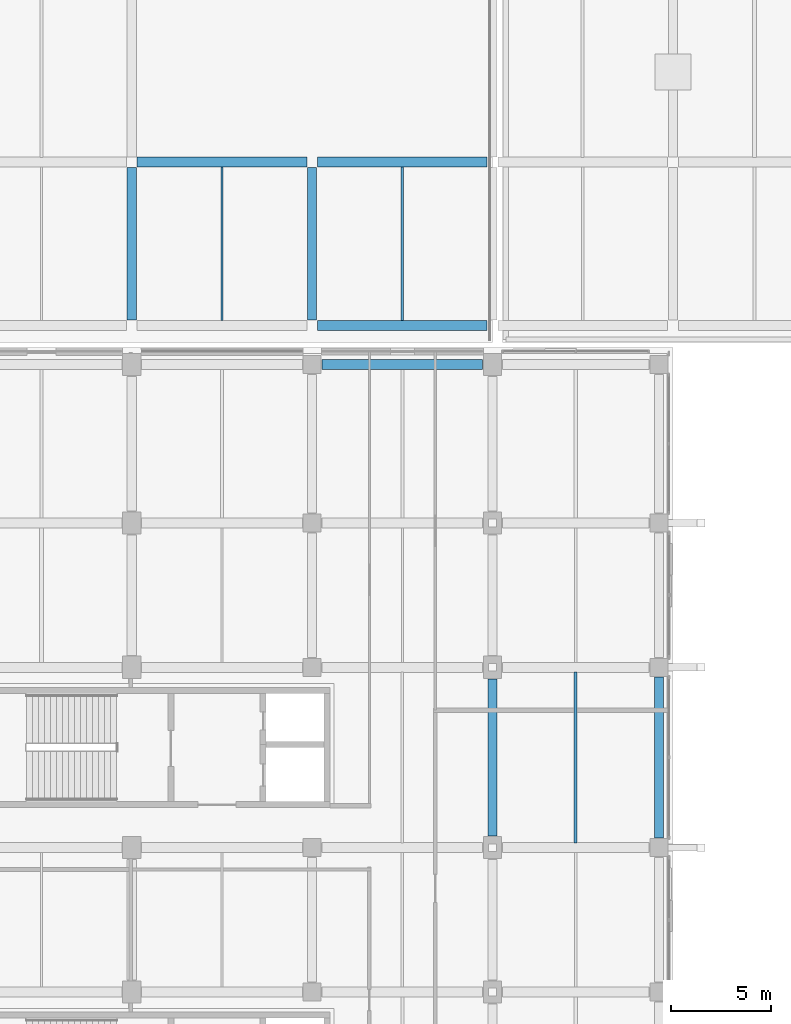
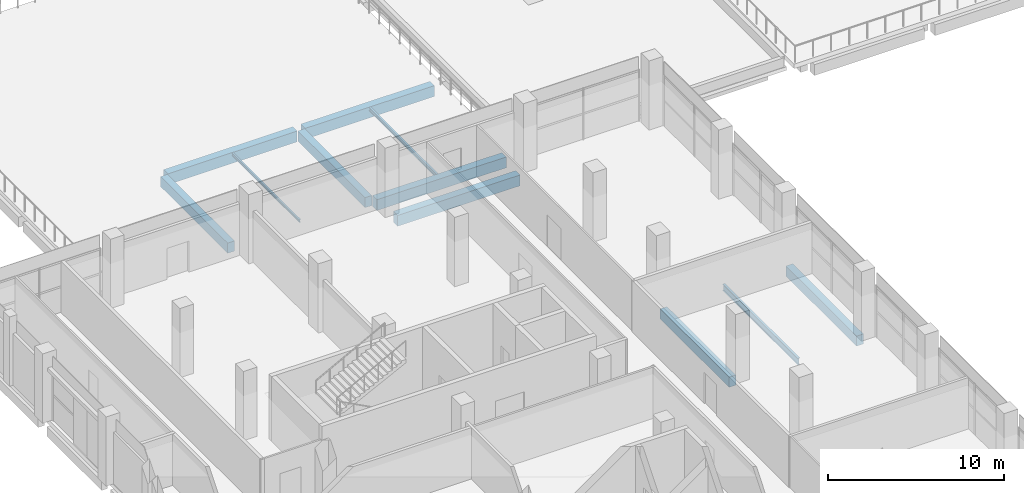
# One storey, part 21 of 82: 11 beams.
"""IFC4 building model written with IfcOpenShell, lengths in metres."""

from ifc_helpers import new_model, si_unit, direction, frame, origin, origin_2d, place, context, subcontext, project, spatial, rectangle, i_section, extrude, material, material_profile, profile_set, type_object, element, save


model = new_model("IFC4")

# Units and contexts
model_context = context("Model", 3, precision=1e-05, world=origin(), true_north=direction((0.0, 1.0)))
body_context = subcontext(model_context, "Body", "Model", "MODEL_VIEW")
ifc_project = project(units=[si_unit("LENGTHUNIT", "METRE"), si_unit("AREAUNIT", "SQUARE_METRE"), si_unit("VOLUMEUNIT", "CUBIC_METRE"), si_unit("PLANEANGLEUNIT", "RADIAN"), si_unit("MASSUNIT", "GRAM", prefix="KILO"), si_unit("THERMODYNAMICTEMPERATUREUNIT", "KELVIN"), si_unit("POWERUNIT", "WATT")], contexts=[model_context])

# Site, building, storey
site_placement = place(None, origin())
site = spatial("IfcSite", under=ifc_project, at=site_placement, CompositionType="ELEMENT")
building_placement = place(site_placement, origin())
building = spatial("IfcBuilding", under=site, at=building_placement, Name="Sindhuravela Promenade Stadium", CompositionType="ELEMENT")
storey_placement = place(building_placement, frame((0.0, 0.0, 14.39990234375)))
storey = spatial("IfcBuildingStorey", under=building, at=storey_placement, Name="L03", CompositionType="ELEMENT", Elevation=14.39990234375)

# Beams
ifc_material_1 = material(Name="Concrete M40", Category="concrete")
ifc_material_profile_1 = material_profile(ifc_material_1, rectangle(XDim=0.449951171875, YDim=0.699951171875, at=origin_2d()), Name="RC 450x700")
ifc_profile_set_1 = profile_set([ifc_material_profile_1], Name="Concrete M40")
beam_type_1 = type_object("IfcBeamType", Name="RC-BM-450x700", PredefinedType="BEAM", material=ifc_profile_set_1)
beam_1_placement = place(storey_placement, frame((36.0, 101.389892578125, -0.64990234375), z_axis=(0.0, 1.0, 0.0), x_axis=(-1.0, 0.0, 0.0)))
element("IfcBeam", 1, at=beam_1_placement, inside=storey, type_object=beam_type_1, Name="Primary beam GB07 WEST L03", PredefinedType="BEAM", context=body_context, shape_type="SweptSolid", body=[
    extrude(rectangle(XDim=0.449951171875, YDim=0.699951171875, at=origin_2d()), origin(), (0.0, 0.0, 1.0), 7.820068359375),
])
beam_2_placement = place(storey_placement, frame((44.300048828125, 101.2900390625, -0.64990234375), z_axis=(0.0, 1.0, 0.0), x_axis=(-1.0, 0.0, 0.0)))
element("IfcBeam", 2, at=beam_2_placement, inside=storey, type_object=beam_type_1, Name="Primary beam GB07 WEST L03", PredefinedType="BEAM", context=body_context, shape_type="SweptSolid", body=[
    extrude(rectangle(XDim=0.449951171875, YDim=0.699951171875, at=origin_2d()), origin(), (0.0, 0.0, 1.0), 8.02001953125),
])
for number, where, z_axis, x_axis, name in (
    (3, (18.0, 127.114990234375, -0.659912109375), (0.0, 1.0, 0.0), (-1.0, 0.0, 0.0), "Primary beam GB07 Pavilion NW L03"),
    (4, (27.0, 127.114990234375, -0.659912109375), (0.0, 1.0, 0.0), (-1.0, 0.0, 0.0), "Primary beam GB07 Pavilion NW L03"),
):
    element("IfcBeam", number, at=place(storey_placement, frame(where, z_axis=z_axis, x_axis=x_axis)), inside=storey, type_object=beam_type_1, Name=name, PredefinedType="BEAM", context=body_context, shape_type="SweptSolid", body=[
        extrude(rectangle(XDim=0.449951171875, YDim=0.699951171875, at=origin_2d()), origin(), (0.0, 0.0, 1.0), 7.6201171875),
    ])
ifc_material_profile_2 = material_profile(ifc_material_1, rectangle(XDim=0.5, YDim=0.75, at=origin_2d()), Name="RC 500x750")
ifc_profile_set_2 = profile_set([ifc_material_profile_2], Name="Concrete M40")
beam_type_2 = type_object("IfcBeamType", Name="RC-BM-500x750", PredefinedType="BEAM", material=ifc_profile_set_2)
beam_3_placement = place(storey_placement, frame((27.489990234375, 124.89990234375, -0.6748046875), z_axis=(1.0, 0.0, 0.0), x_axis=(0.0, 1.0, 0.0)))
element("IfcBeam", 5, at=beam_3_placement, inside=storey, type_object=beam_type_2, Name="Primary girder GB06 WEST L03", PredefinedType="BEAM", context=body_context, shape_type="SweptSolid", body=[
    extrude(rectangle(XDim=0.5, YDim=0.75, at=origin_2d()), origin(), (0.0, 0.0, 1.0), 8.02001953125),
])
for number, where, z_axis, x_axis, name in (
    (6, (27.264892578125, 126.85009765625, -0.684814453125), (1.0, 0.0, 0.0), (0.0, 1.0, 0.0), "Primary girder GB06 Pavilion NW L03"),
    (7, (18.264892578125, 135.0, -0.684814453125), (1.0, 0.0, 0.0), (0.0, 1.0, 0.0), "Primary girder GB06 Pavilion NW L03"),
    (8, (27.264892578125, 135.0, -0.684814453125), (1.0, 0.0, 0.0), (0.0, 1.0, 0.0), "Primary girder GB06 Pavilion NW L03"),
):
    element("IfcBeam", number, at=place(storey_placement, frame(where, z_axis=z_axis, x_axis=x_axis)), inside=storey, type_object=beam_type_2, Name=name, PredefinedType="BEAM", context=body_context, shape_type="SweptSolid", body=[
        extrude(rectangle(XDim=0.5, YDim=0.75, at=origin_2d()), origin(), (0.0, 0.0, 1.0), 8.47021484375),
    ])
ifc_material_2 = material(Name="Steel E350 (IS 2062 E350BR)", Category="steel")
ifc_material_profile_3 = material_profile(ifc_material_2, i_section(OverallWidth=0.10009765625, OverallDepth=0.199951171875, WebThickness=0.005615234375, FlangeThickness=0.0107421875, FilletRadius=0.010986328125, at=origin_2d()), Name="ISMB 200")
ifc_profile_set_3 = profile_set([ifc_material_profile_3], Name="Steel E350 (IS 2062 E350BR)")
beam_type_3 = type_object("IfcBeamType", Name="ST-BM-MB200", PredefinedType="JOIST", material=ifc_profile_set_3)
beam_4_placement = place(storey_placement, frame((22.5, 127.090087890625, -0.409912109375), z_axis=(0.0, 1.0, 0.0), x_axis=(-1.0, 0.0, 0.0)))
element("IfcBeam", 9, at=beam_4_placement, inside=storey, type_object=beam_type_3, Name="Secondary floor joist SB01 Pavilion NW L03", PredefinedType="JOIST", context=body_context, shape_type="SweptSolid", body=[
    extrude(i_section(OverallWidth=0.10009765625, OverallDepth=0.199951171875, WebThickness=0.005615234375, FlangeThickness=0.0107421875, FilletRadius=0.010986328125, at=origin_2d()), origin(), (0.0, 0.0, 1.0), 7.669921875),
])
ifc_material_profile_4 = material_profile(ifc_material_2, i_section(OverallWidth=0.125, OverallDepth=0.25, WebThickness=0.0068359375, FlangeThickness=0.012451171875, FilletRadius=0.012939453125, at=origin_2d()), Name="ISMB 250")
ifc_profile_set_4 = profile_set([ifc_material_profile_4], Name="Steel E350 (IS 2062 E350BR)")
beam_type_4 = type_object("IfcBeamType", Name="ST-BM-MB250", PredefinedType="JOIST", material=ifc_profile_set_4)
beam_5_placement = place(storey_placement, frame((31.5, 127.090087890625, -0.434814453125), z_axis=(0.0, 1.0, 0.0), x_axis=(-1.0, 0.0, 0.0)))
element("IfcBeam", 10, at=beam_5_placement, inside=storey, type_object=beam_type_4, Name="Secondary floor joist SB02 Pavilion NW L03", PredefinedType="JOIST", context=body_context, shape_type="SweptSolid", body=[
    extrude(i_section(OverallWidth=0.125, OverallDepth=0.25, WebThickness=0.0068359375, FlangeThickness=0.012451171875, FilletRadius=0.012939453125, at=origin_2d()), origin(), (0.0, 0.0, 1.0), 7.669921875),
])
ifc_material_profile_5 = material_profile(ifc_material_2, i_section(OverallWidth=0.14990234375, OverallDepth=0.449951171875, WebThickness=0.009521484375, FlangeThickness=0.017333984375, FilletRadius=0.014892578125, at=origin_2d()), Name="ISMB 450")
ifc_profile_set_5 = profile_set([ifc_material_profile_5], Name="Steel E350 (IS 2062 E350BR)")
beam_type_5 = type_object("IfcBeamType", Name="ST-BM-MB450", PredefinedType="BEAM", material=ifc_profile_set_5)
beam_6_placement = place(storey_placement, frame((40.14990234375, 101.0400390625, -0.52490234375), z_axis=(0.0, 1.0, 0.0), x_axis=(-1.0, 0.0, 0.0)))
element("IfcBeam", 11, at=beam_6_placement, inside=storey, type_object=beam_type_5, Name="Secondary floor joist SB06 WEST L03", PredefinedType="BEAM", context=body_context, shape_type="SweptSolid", body=[
    extrude(i_section(OverallWidth=0.14990234375, OverallDepth=0.449951171875, WebThickness=0.009521484375, FlangeThickness=0.017333984375, FilletRadius=0.014892578125, at=origin_2d()), origin(), (0.0, 0.0, 1.0), 8.52001953125),
])

save(model, "model.ifc")
